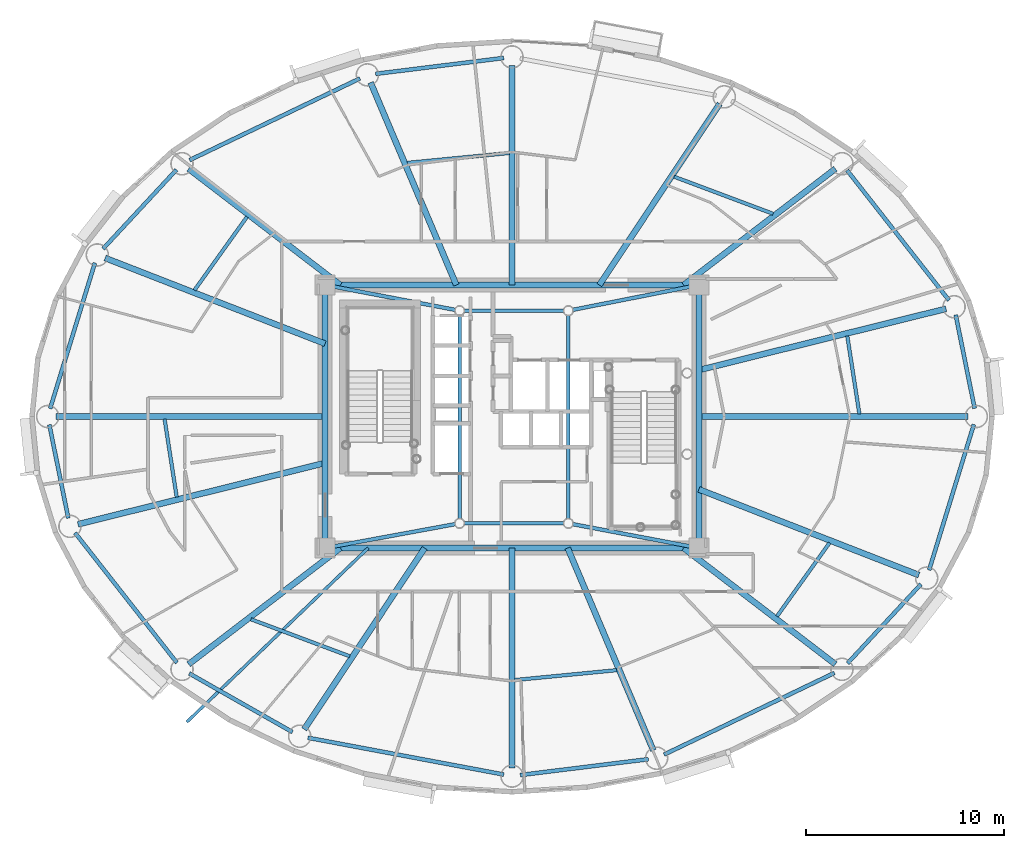
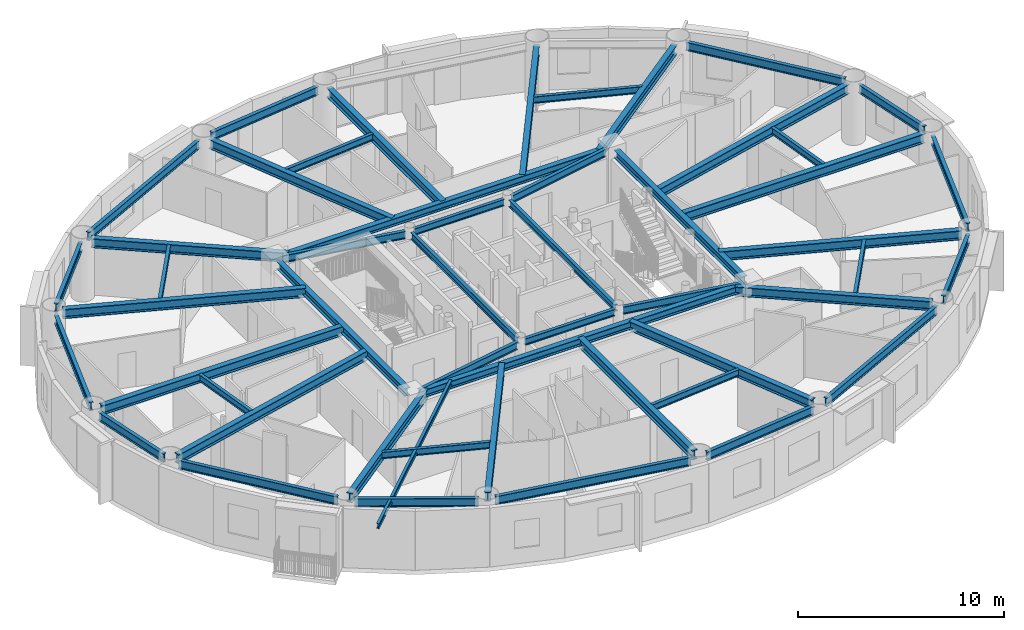
# One storey, part 3 of 18: 51 beams.
"""IFC4 building model written with IfcOpenShell, lengths in metres."""

from ifc_helpers import new_model, si_unit, direction, frame, origin, origin_2d, place, context, subcontext, project, spatial, i_section, extrude, material, material_profile, profile_set, type_object, element, save


model = new_model("IFC4")

# Units and contexts
model_context = context("Model", 3, precision=1e-05, world=origin(), true_north=direction((0.0, 1.0)))
body_context = subcontext(model_context, "Body", "Model", "MODEL_VIEW")
ifc_project = project(units=[si_unit("LENGTHUNIT", "METRE"), si_unit("AREAUNIT", "SQUARE_METRE"), si_unit("VOLUMEUNIT", "CUBIC_METRE"), si_unit("PLANEANGLEUNIT", "RADIAN"), si_unit("MASSUNIT", "GRAM", prefix="KILO")], contexts=[model_context])

# Site, building, storey
site_placement = place(None, origin())
site = spatial("IfcSite", under=ifc_project, at=site_placement, CompositionType="ELEMENT")
building_placement = place(site_placement, origin())
building = spatial("IfcBuilding", under=site, at=building_placement, Name="Linh Dai School and Residence Tower", CompositionType="ELEMENT")
storey_placement = place(building_placement, frame((0.0, 0.0, 240.300048828125)))
storey = spatial("IfcBuildingStorey", under=building, at=storey_placement, Name="L59", CompositionType="ELEMENT", Elevation=240.300048828125)

# Beams
ifc_material = material(Name="Structural Steel S355JR", Category="steel")
ifc_material_profile_1 = material_profile(ifc_material, i_section(OverallWidth=0.14990234375, OverallDepth=0.300048828125, WebThickness=0.007080078125, FlangeThickness=0.0107421875, at=origin_2d()), Name="IPE 300")
ifc_profile_set_1 = profile_set([ifc_material_profile_1], Name="Structural Steel S355JR")
beam_type_1 = type_object("IfcBeamType", Name="BM-BALC-CANT", PredefinedType="BEAM", material=ifc_profile_set_1)
beam_1_placement = place(storey_placement, frame((28.72607421875, 20.35009765625, 3.349853515625), z_axis=(-0.7215581557, -0.692353831464, 0.0), x_axis=(0.692353831464, -0.7215581557, 0.0)))
element("IfcBeam", 1, at=beam_1_placement, inside=storey, type_object=beam_type_1, Name="L60 Balcony Continuous Cantilever Beam 26", PredefinedType="BEAM", context=body_context, shape_type="SweptSolid", body=[
    extrude(i_section(OverallWidth=0.14990234375, OverallDepth=0.300048828125, WebThickness=0.007080078125, FlangeThickness=0.0107421875, at=origin_2d()), origin(), (0.0, 0.0, 1.0), 12.706787109375),
])
ifc_material_profile_2 = material_profile(ifc_material, i_section(OverallWidth=0.199951171875, OverallDepth=0.5, WebThickness=0.01025390625, FlangeThickness=0.01611328125, FilletRadius=0.02099609375, at=origin_2d()), Name="IPE 500")
ifc_profile_set_2 = profile_set([ifc_material_profile_2], Name="Structural Steel S355JR")
beam_type_2 = type_object("IfcBeamType", Name="BM-RB50", PredefinedType="BEAM", material=ifc_profile_set_2)
beam_2_placement = place(storey_placement, frame((59.3916015625, 27.41162109375, 3.25), z_axis=(-0.198423200906, 0.980116438666, 0.0), x_axis=(-0.980116438666, -0.198423200906, 0.0)))
element("IfcBeam", 2, at=beam_2_placement, inside=storey, type_object=beam_type_2, Name="L59 Perimeter Elliptical Ring Beam 01", PredefinedType="BEAM", context=body_context, shape_type="SweptSolid", body=[
    extrude(i_section(OverallWidth=0.199951171875, OverallDepth=0.5, WebThickness=0.01025390625, FlangeThickness=0.01611328125, FilletRadius=0.02099609375, at=origin_2d()), origin(), (0.0, 0.0, 1.0), 4.822021484375),
])
beam_3_placement = place(storey_placement, frame((58.09228515625, 32.8798828125, 3.25), z_axis=(-0.616900268003, 0.787041332674, 0.0), x_axis=(-0.787041332674, -0.616900268003, 0.0)))
element("IfcBeam", 3, at=beam_3_placement, inside=storey, type_object=beam_type_2, Name="L59 Perimeter Elliptical Ring Beam 02", PredefinedType="BEAM", context=body_context, shape_type="SweptSolid", body=[
    extrude(i_section(OverallWidth=0.199951171875, OverallDepth=0.5, WebThickness=0.01025390625, FlangeThickness=0.01611328125, FilletRadius=0.02099609375, at=origin_2d()), origin(), (0.0, 0.0, 1.0), 8.348388671875),
])
beam_4_placement = place(storey_placement, frame((35.583251953125, 45.12841796875, 3.25), z_axis=(-0.992401656104, -0.123040452539, 0.0), x_axis=(0.123040452539, -0.992401656104, 0.0)))
element("IfcBeam", 4, at=beam_4_placement, inside=storey, type_object=beam_type_2, Name="L59 Perimeter Elliptical Ring Beam 05", PredefinedType="BEAM", context=body_context, shape_type="SweptSolid", body=[
    extrude(i_section(OverallWidth=0.199951171875, OverallDepth=0.5, WebThickness=0.01025390625, FlangeThickness=0.01611328125, FilletRadius=0.02099609375, at=origin_2d()), origin(), (0.0, 0.0, 1.0), 6.528076171875),
])
beam_5_placement = place(storey_placement, frame((28.309326171875, 44.092041015625, 3.25), z_axis=(-0.901735920201, -0.432287323686, 0.0), x_axis=(0.432287323686, -0.901735920201, 0.0)))
element("IfcBeam", 5, at=beam_5_placement, inside=storey, type_object=beam_type_2, Name="L59 Perimeter Elliptical Ring Beam 06", PredefinedType="BEAM", context=body_context, shape_type="SweptSolid", body=[
    extrude(i_section(OverallWidth=0.199951171875, OverallDepth=0.5, WebThickness=0.01025390625, FlangeThickness=0.01611328125, FilletRadius=0.02099609375, at=origin_2d()), origin(), (0.0, 0.0, 1.0), 9.552490234375),
])
beam_6_placement = place(storey_placement, frame((19.031005859375, 39.47314453125, 3.25), z_axis=(-0.68040816846, -0.732833353699, 0.0), x_axis=(0.732833353699, -0.68040816846, 0.0)))
element("IfcBeam", 6, at=beam_6_placement, inside=storey, type_object=beam_type_2, Name="L59 Perimeter Elliptical Ring Beam 07", PredefinedType="BEAM", context=body_context, shape_type="SweptSolid", body=[
    extrude(i_section(OverallWidth=0.199951171875, OverallDepth=0.5, WebThickness=0.01025390625, FlangeThickness=0.01611328125, FilletRadius=0.02099609375, at=origin_2d()), origin(), (0.0, 0.0, 1.0), 5.453369140625),
])
beam_7_placement = place(storey_placement, frame((14.911376953125, 34.767578125, 3.25), z_axis=(-0.293660595717, -0.95590975229, 0.0), x_axis=(0.95590975229, -0.293660595717, 0.0)))
element("IfcBeam", 7, at=beam_7_placement, inside=storey, type_object=beam_type_2, Name="L59 Perimeter Elliptical Ring Beam 08", PredefinedType="BEAM", context=body_context, shape_type="SweptSolid", body=[
    extrude(i_section(OverallWidth=0.199951171875, OverallDepth=0.5, WebThickness=0.01025390625, FlangeThickness=0.01611328125, FilletRadius=0.02099609375, at=origin_2d()), origin(), (0.0, 0.0, 1.0), 7.7060546875),
])
beam_8_placement = place(storey_placement, frame((12.6083984375, 26.58837890625, 3.25), z_axis=(0.198423200906, -0.980116438666, 0.0), x_axis=(0.980116438666, 0.198423200906, 0.0)))
element("IfcBeam", 8, at=beam_8_placement, inside=storey, type_object=beam_type_2, Name="L59 Perimeter Elliptical Ring Beam 09", PredefinedType="BEAM", context=body_context, shape_type="SweptSolid", body=[
    extrude(i_section(OverallWidth=0.199951171875, OverallDepth=0.5, WebThickness=0.01025390625, FlangeThickness=0.01611328125, FilletRadius=0.02099609375, at=origin_2d()), origin(), (0.0, 0.0, 1.0), 4.822021484375),
])
beam_9_placement = place(storey_placement, frame((13.90771484375, 21.1201171875, 3.25), z_axis=(0.616900268003, -0.787041332674, 0.0), x_axis=(0.787041332674, 0.616900268003, 0.0)))
element("IfcBeam", 9, at=beam_9_placement, inside=storey, type_object=beam_type_2, Name="L59 Perimeter Elliptical Ring Beam 10", PredefinedType="BEAM", context=body_context, shape_type="SweptSolid", body=[
    extrude(i_section(OverallWidth=0.199951171875, OverallDepth=0.5, WebThickness=0.01025390625, FlangeThickness=0.01611328125, FilletRadius=0.02099609375, at=origin_2d()), origin(), (0.0, 0.0, 1.0), 8.348388671875),
])
beam_10_placement = place(storey_placement, frame((19.681884765625, 14.011474609375, 3.25), z_axis=(0.869297314463, -0.494289570058, 0.0), x_axis=(0.494289570058, 0.869297314463, 0.0)))
element("IfcBeam", 10, at=beam_10_placement, inside=storey, type_object=beam_type_2, Name="L59 Perimeter Elliptical Ring Beam 11", PredefinedType="BEAM", context=body_context, shape_type="SweptSolid", body=[
    extrude(i_section(OverallWidth=0.199951171875, OverallDepth=0.5, WebThickness=0.01025390625, FlangeThickness=0.01611328125, FilletRadius=0.02099609375, at=origin_2d()), origin(), (0.0, 0.0, 1.0), 6.003173828125),
])
beam_11_placement = place(storey_placement, frame((25.67822265625, 10.759033203125, 3.25), z_axis=(0.982806607762, -0.184637947722, 0.0), x_axis=(0.184637947722, 0.982806607762, 0.0)))
element("IfcBeam", 11, at=beam_11_placement, inside=storey, type_object=beam_type_2, Name="L59 Perimeter Elliptical Ring Beam 12", PredefinedType="BEAM", context=body_context, shape_type="SweptSolid", body=[
    extrude(i_section(OverallWidth=0.199951171875, OverallDepth=0.5, WebThickness=0.01025390625, FlangeThickness=0.01611328125, FilletRadius=0.02099609375, at=origin_2d()), origin(), (0.0, 0.0, 1.0), 10.082275390625),
])
beam_12_placement = place(storey_placement, frame((36.416748046875, 8.87158203125, 3.25), z_axis=(0.992401656104, 0.123040452539, 0.0), x_axis=(-0.123040452539, 0.992401656104, 0.0)))
element("IfcBeam", 12, at=beam_12_placement, inside=storey, type_object=beam_type_2, Name="L59 Perimeter Elliptical Ring Beam 13", PredefinedType="BEAM", context=body_context, shape_type="SweptSolid", body=[
    extrude(i_section(OverallWidth=0.199951171875, OverallDepth=0.5, WebThickness=0.01025390625, FlangeThickness=0.01611328125, FilletRadius=0.02099609375, at=origin_2d()), origin(), (0.0, 0.0, 1.0), 6.528076171875),
])
beam_13_placement = place(storey_placement, frame((43.690673828125, 9.907958984375, 3.25), z_axis=(0.901735920201, 0.432287323686, 0.0), x_axis=(-0.432287323686, 0.901735920201, 0.0)))
element("IfcBeam", 13, at=beam_13_placement, inside=storey, type_object=beam_type_2, Name="L59 Perimeter Elliptical Ring Beam 14", PredefinedType="BEAM", context=body_context, shape_type="SweptSolid", body=[
    extrude(i_section(OverallWidth=0.199951171875, OverallDepth=0.5, WebThickness=0.01025390625, FlangeThickness=0.01611328125, FilletRadius=0.02099609375, at=origin_2d()), origin(), (0.0, 0.0, 1.0), 9.552490234375),
])
beam_14_placement = place(storey_placement, frame((52.968994140625, 14.52685546875, 3.25), z_axis=(0.68040816846, 0.732833353699, 0.0), x_axis=(-0.732833353699, 0.68040816846, 0.0)))
element("IfcBeam", 14, at=beam_14_placement, inside=storey, type_object=beam_type_2, Name="L59 Perimeter Elliptical Ring Beam 15", PredefinedType="BEAM", context=body_context, shape_type="SweptSolid", body=[
    extrude(i_section(OverallWidth=0.199951171875, OverallDepth=0.5, WebThickness=0.01025390625, FlangeThickness=0.01611328125, FilletRadius=0.02099609375, at=origin_2d()), origin(), (0.0, 0.0, 1.0), 5.453369140625),
])
beam_15_placement = place(storey_placement, frame((57.088623046875, 19.232421875, 3.25), z_axis=(0.293660595717, 0.95590975229, 0.0), x_axis=(-0.95590975229, 0.293660595717, 0.0)))
element("IfcBeam", 15, at=beam_15_placement, inside=storey, type_object=beam_type_2, Name="L59 Perimeter Elliptical Ring Beam 16", PredefinedType="BEAM", context=body_context, shape_type="SweptSolid", body=[
    extrude(i_section(OverallWidth=0.199951171875, OverallDepth=0.5, WebThickness=0.01025390625, FlangeThickness=0.01611328125, FilletRadius=0.02099609375, at=origin_2d()), origin(), (0.0, 0.0, 1.0), 7.7060546875),
])
ifc_material_profile_3 = material_profile(ifc_material, i_section(OverallWidth=0.300048828125, OverallDepth=0.449951171875, WebThickness=0.013916015625, FlangeThickness=0.02587890625, FilletRadius=0.027099609375, at=origin_2d()), Name="HEB 450")
ifc_profile_set_3 = profile_set([ifc_material_profile_3], Name="Structural Steel S355JR")
beam_type_3 = type_object("IfcBeamType", Name="BM-RG45", PredefinedType="BEAM", material=ifc_profile_set_3)
beam_16_placement = place(storey_placement, frame((26.969970703125, 20.35009765625, 3.27490234375), z_axis=(1.0, 0.0, 0.0), x_axis=(0.0, 1.0, 0.0)))
element("IfcBeam", 16, at=beam_16_placement, inside=storey, type_object=beam_type_3, Name="L59 Core Perimeter Coupling Girder 1", PredefinedType="BEAM", context=body_context, shape_type="SweptSolid", body=[
    extrude(i_section(OverallWidth=0.300048828125, OverallDepth=0.449951171875, WebThickness=0.013916015625, FlangeThickness=0.02587890625, FilletRadius=0.027099609375, at=origin_2d()), origin(), (0.0, 0.0, 1.0), 18.06005859375),
])
beam_17_placement = place(storey_placement, frame((45.449951171875, 20.77001953125, 3.27490234375), z_axis=(0.0, 1.0, 0.0), x_axis=(-1.0, 0.0, 0.0)))
element("IfcBeam", 17, at=beam_17_placement, inside=storey, type_object=beam_type_3, Name="L59 Core Perimeter Coupling Girder 2", PredefinedType="BEAM", context=body_context, shape_type="SweptSolid", body=[
    extrude(i_section(OverallWidth=0.300048828125, OverallDepth=0.449951171875, WebThickness=0.013916015625, FlangeThickness=0.02587890625, FilletRadius=0.027099609375, at=origin_2d()), origin(), (0.0, 0.0, 1.0), 12.4599609375),
])
beam_18_placement = place(storey_placement, frame((45.030029296875, 33.64990234375, 3.27490234375), z_axis=(-1.0, 0.0, 0.0), x_axis=(0.0, -1.0, 0.0)))
element("IfcBeam", 18, at=beam_18_placement, inside=storey, type_object=beam_type_3, Name="L59 Core Perimeter Coupling Girder 3", PredefinedType="BEAM", context=body_context, shape_type="SweptSolid", body=[
    extrude(i_section(OverallWidth=0.300048828125, OverallDepth=0.449951171875, WebThickness=0.013916015625, FlangeThickness=0.02587890625, FilletRadius=0.027099609375, at=origin_2d()), origin(), (0.0, 0.0, 1.0), 18.06005859375),
])
beam_19_placement = place(storey_placement, frame((26.550048828125, 33.22998046875, 3.27490234375), z_axis=(0.0, -1.0, 0.0), x_axis=(1.0, 0.0, 0.0)))
element("IfcBeam", 19, at=beam_19_placement, inside=storey, type_object=beam_type_3, Name="L59 Core Perimeter Coupling Girder 4", PredefinedType="BEAM", context=body_context, shape_type="SweptSolid", body=[
    extrude(i_section(OverallWidth=0.300048828125, OverallDepth=0.449951171875, WebThickness=0.013916015625, FlangeThickness=0.02587890625, FilletRadius=0.027099609375, at=origin_2d()), origin(), (0.0, 0.0, 1.0), 12.4599609375),
])
ifc_material_profile_4 = material_profile(ifc_material, i_section(OverallWidth=0.300048828125, OverallDepth=0.550048828125, WebThickness=0.014892578125, FlangeThickness=0.029052734375, FilletRadius=0.027099609375, at=origin_2d()), Name="HEB 550")
ifc_profile_set_4 = profile_set([ifc_material_profile_4], Name="Structural Steel S355JR")
beam_type_4 = type_object("IfcBeamType", Name="BM-RG55", PredefinedType="BEAM", material=ifc_profile_set_4)
beam_20_placement = place(storey_placement, frame((45.449951171875, 27.0, 3.224853515625), z_axis=(1.0, 0.0, 0.0), x_axis=(0.0, 1.0, 0.0)))
element("IfcBeam", 20, at=beam_20_placement, inside=storey, type_object=beam_type_4, Name="L59 Primary Radial Floor Girder 01", PredefinedType="BEAM", context=body_context, shape_type="SweptSolid", body=[
    extrude(i_section(OverallWidth=0.300048828125, OverallDepth=0.550048828125, WebThickness=0.014892578125, FlangeThickness=0.029052734375, FilletRadius=0.027099609375, at=origin_2d()), origin(), (0.0, 0.0, 1.0), 13.60498046875),
])
beam_21_placement = place(storey_placement, frame((45.449951171875, 29.34619140625, 3.224853515625), z_axis=(0.970537241974, 0.240951160904, 0.0), x_axis=(-0.240951160904, 0.970537241974, 0.0)))
element("IfcBeam", 21, at=beam_21_placement, inside=storey, type_object=beam_type_4, Name="L59 Primary Radial Floor Girder 02", PredefinedType="BEAM", context=body_context, shape_type="SweptSolid", body=[
    extrude(i_section(OverallWidth=0.300048828125, OverallDepth=0.550048828125, WebThickness=0.014892578125, FlangeThickness=0.029052734375, FilletRadius=0.027099609375, at=origin_2d()), origin(), (0.0, 0.0, 1.0), 12.873291015625),
])
beam_22_placement = place(storey_placement, frame((44.680419921875, 33.64990234375, 3.224853515625), z_axis=(0.793814553483, 0.608159892363, 0.0), x_axis=(-0.608159892363, 0.793814553483, 0.0)))
element("IfcBeam", 22, at=beam_22_placement, inside=storey, type_object=beam_type_4, Name="L59 Primary Radial Floor Girder 03", PredefinedType="BEAM", context=body_context, shape_type="SweptSolid", body=[
    extrude(i_section(OverallWidth=0.300048828125, OverallDepth=0.550048828125, WebThickness=0.014892578125, FlangeThickness=0.029052734375, FilletRadius=0.027099609375, at=origin_2d()), origin(), (0.0, 0.0, 1.0), 9.661376953125),
])
beam_23_placement = place(storey_placement, frame((40.41650390625, 33.64990234375, 3.224853515625), z_axis=(0.553219177991, 0.833035738191, 0.0), x_axis=(-0.833035738191, 0.553219177991, 0.0)))
element("IfcBeam", 23, at=beam_23_placement, inside=storey, type_object=beam_type_4, Name="L59 Primary Radial Floor Girder 04", PredefinedType="BEAM", context=body_context, shape_type="SweptSolid", body=[
    extrude(i_section(OverallWidth=0.300048828125, OverallDepth=0.550048828125, WebThickness=0.014892578125, FlangeThickness=0.029052734375, FilletRadius=0.027099609375, at=origin_2d()), origin(), (0.0, 0.0, 1.0), 11.00048828125),
])
beam_24_placement = place(storey_placement, frame((36.0, 33.64990234375, 3.224853515625), z_axis=(0.0, 1.0, 0.0), x_axis=(-1.0, 0.0, 0.0)))
element("IfcBeam", 24, at=beam_24_placement, inside=storey, type_object=beam_type_4, Name="L59 Primary Radial Floor Girder 05", PredefinedType="BEAM", context=body_context, shape_type="SweptSolid", body=[
    extrude(i_section(OverallWidth=0.300048828125, OverallDepth=0.550048828125, WebThickness=0.014892578125, FlangeThickness=0.029052734375, FilletRadius=0.027099609375, at=origin_2d()), origin(), (0.0, 0.0, 1.0), 11.110107421875),
])
beam_25_placement = place(storey_placement, frame((33.18505859375, 33.64990234375, 3.224853515625), z_axis=(-0.389814803082, 0.920893272479, 0.0), x_axis=(-0.920893272479, -0.389814803082, 0.0)))
element("IfcBeam", 25, at=beam_25_placement, inside=storey, type_object=beam_type_4, Name="L59 Primary Radial Floor Girder 06", PredefinedType="BEAM", context=body_context, shape_type="SweptSolid", body=[
    extrude(i_section(OverallWidth=0.300048828125, OverallDepth=0.550048828125, WebThickness=0.014892578125, FlangeThickness=0.029052734375, FilletRadius=0.027099609375, at=origin_2d()), origin(), (0.0, 0.0, 1.0), 11.1162109375),
])
beam_26_placement = place(storey_placement, frame((27.319580078125, 33.64990234375, 3.224853515625), z_axis=(-0.793814553483, 0.608159892363, 0.0), x_axis=(-0.608159892363, -0.793814553483, 0.0)))
element("IfcBeam", 26, at=beam_26_placement, inside=storey, type_object=beam_type_4, Name="L59 Primary Radial Floor Girder 07", PredefinedType="BEAM", context=body_context, shape_type="SweptSolid", body=[
    extrude(i_section(OverallWidth=0.300048828125, OverallDepth=0.550048828125, WebThickness=0.014892578125, FlangeThickness=0.029052734375, FilletRadius=0.027099609375, at=origin_2d()), origin(), (0.0, 0.0, 1.0), 9.661376953125),
])
beam_27_placement = place(storey_placement, frame((26.550048828125, 30.68212890625, 3.224853515625), z_axis=(-0.931764994123, 0.363061972295, 0.0), x_axis=(-0.363061972295, -0.931764994123, 0.0)))
element("IfcBeam", 27, at=beam_27_placement, inside=storey, type_object=beam_type_4, Name="L59 Primary Radial Floor Girder 08", PredefinedType="BEAM", context=body_context, shape_type="SweptSolid", body=[
    extrude(i_section(OverallWidth=0.300048828125, OverallDepth=0.550048828125, WebThickness=0.014892578125, FlangeThickness=0.029052734375, FilletRadius=0.027099609375, at=origin_2d()), origin(), (0.0, 0.0, 1.0), 11.938720703125),
])
beam_28_placement = place(storey_placement, frame((26.550048828125, 27.0, 3.224853515625), z_axis=(-1.0, 0.0, 0.0), x_axis=(0.0, -1.0, 0.0)))
element("IfcBeam", 28, at=beam_28_placement, inside=storey, type_object=beam_type_4, Name="L59 Primary Radial Floor Girder 09", PredefinedType="BEAM", context=body_context, shape_type="SweptSolid", body=[
    extrude(i_section(OverallWidth=0.300048828125, OverallDepth=0.550048828125, WebThickness=0.014892578125, FlangeThickness=0.029052734375, FilletRadius=0.027099609375, at=origin_2d()), origin(), (0.0, 0.0, 1.0), 13.60498046875),
])
beam_29_placement = place(storey_placement, frame((26.550048828125, 24.65380859375, 3.224853515625), z_axis=(-0.970537241974, -0.240951160904, 0.0), x_axis=(0.240951160904, -0.970537241974, 0.0)))
element("IfcBeam", 29, at=beam_29_placement, inside=storey, type_object=beam_type_4, Name="L59 Primary Radial Floor Girder 10", PredefinedType="BEAM", context=body_context, shape_type="SweptSolid", body=[
    extrude(i_section(OverallWidth=0.300048828125, OverallDepth=0.550048828125, WebThickness=0.014892578125, FlangeThickness=0.029052734375, FilletRadius=0.027099609375, at=origin_2d()), origin(), (0.0, 0.0, 1.0), 12.873291015625),
])
beam_30_placement = place(storey_placement, frame((27.319580078125, 20.35009765625, 3.224853515625), z_axis=(-0.793814553483, -0.608159892363, 0.0), x_axis=(0.608159892363, -0.793814553483, 0.0)))
element("IfcBeam", 30, at=beam_30_placement, inside=storey, type_object=beam_type_4, Name="L59 Primary Radial Floor Girder 11", PredefinedType="BEAM", context=body_context, shape_type="SweptSolid", body=[
    extrude(i_section(OverallWidth=0.300048828125, OverallDepth=0.550048828125, WebThickness=0.014892578125, FlangeThickness=0.029052734375, FilletRadius=0.027099609375, at=origin_2d()), origin(), (0.0, 0.0, 1.0), 9.661376953125),
])
beam_31_placement = place(storey_placement, frame((31.58349609375, 20.35009765625, 3.224853515625), z_axis=(-0.553219177991, -0.833035738191, 0.0), x_axis=(0.833035738191, -0.553219177991, 0.0)))
element("IfcBeam", 31, at=beam_31_placement, inside=storey, type_object=beam_type_4, Name="L59 Primary Radial Floor Girder 12", PredefinedType="BEAM", context=body_context, shape_type="SweptSolid", body=[
    extrude(i_section(OverallWidth=0.300048828125, OverallDepth=0.550048828125, WebThickness=0.014892578125, FlangeThickness=0.029052734375, FilletRadius=0.027099609375, at=origin_2d()), origin(), (0.0, 0.0, 1.0), 11.00048828125),
])
beam_32_placement = place(storey_placement, frame((36.0, 20.35009765625, 3.224853515625), z_axis=(0.0, -1.0, 0.0), x_axis=(1.0, 0.0, 0.0)))
element("IfcBeam", 32, at=beam_32_placement, inside=storey, type_object=beam_type_4, Name="L59 Primary Radial Floor Girder 13", PredefinedType="BEAM", context=body_context, shape_type="SweptSolid", body=[
    extrude(i_section(OverallWidth=0.300048828125, OverallDepth=0.550048828125, WebThickness=0.014892578125, FlangeThickness=0.029052734375, FilletRadius=0.027099609375, at=origin_2d()), origin(), (0.0, 0.0, 1.0), 11.110107421875),
])
beam_33_placement = place(storey_placement, frame((38.81494140625, 20.35009765625, 3.224853515625), z_axis=(0.389814803082, -0.920893272479, 0.0), x_axis=(0.920893272479, 0.389814803082, 0.0)))
element("IfcBeam", 33, at=beam_33_placement, inside=storey, type_object=beam_type_4, Name="L59 Primary Radial Floor Girder 14", PredefinedType="BEAM", context=body_context, shape_type="SweptSolid", body=[
    extrude(i_section(OverallWidth=0.300048828125, OverallDepth=0.550048828125, WebThickness=0.014892578125, FlangeThickness=0.029052734375, FilletRadius=0.027099609375, at=origin_2d()), origin(), (0.0, 0.0, 1.0), 11.1162109375),
])
beam_34_placement = place(storey_placement, frame((44.680419921875, 20.35009765625, 3.224853515625), z_axis=(0.793814553483, -0.608159892363, 0.0), x_axis=(0.608159892363, 0.793814553483, 0.0)))
element("IfcBeam", 34, at=beam_34_placement, inside=storey, type_object=beam_type_4, Name="L59 Primary Radial Floor Girder 15", PredefinedType="BEAM", context=body_context, shape_type="SweptSolid", body=[
    extrude(i_section(OverallWidth=0.300048828125, OverallDepth=0.550048828125, WebThickness=0.014892578125, FlangeThickness=0.029052734375, FilletRadius=0.027099609375, at=origin_2d()), origin(), (0.0, 0.0, 1.0), 9.661376953125),
])
beam_35_placement = place(storey_placement, frame((45.449951171875, 23.31787109375, 3.224853515625), z_axis=(0.931764994123, -0.363061972295, 0.0), x_axis=(0.363061972295, 0.931764994123, 0.0)))
element("IfcBeam", 35, at=beam_35_placement, inside=storey, type_object=beam_type_4, Name="L59 Primary Radial Floor Girder 16", PredefinedType="BEAM", context=body_context, shape_type="SweptSolid", body=[
    extrude(i_section(OverallWidth=0.300048828125, OverallDepth=0.550048828125, WebThickness=0.014892578125, FlangeThickness=0.029052734375, FilletRadius=0.027099609375, at=origin_2d()), origin(), (0.0, 0.0, 1.0), 11.938720703125),
])
ifc_material_profile_5 = material_profile(ifc_material, i_section(OverallWidth=0.179931640625, OverallDepth=0.39990234375, WebThickness=0.008544921875, FlangeThickness=0.013427734375, FilletRadius=0.02099609375, at=origin_2d()), Name="IPE 400")
ifc_profile_set_5 = profile_set([ifc_material_profile_5], Name="Structural Steel S355JR")
beam_type_5 = type_object("IfcBeamType", Name="BM-SB40", PredefinedType="BEAM", material=ifc_profile_set_5)
beam_36_placement = place(storey_placement, frame((33.573974609375, 21.60009765625, 3.300048828125), z_axis=(1.0, 0.0, 0.0), x_axis=(0.0, 1.0, 0.0)))
element("IfcBeam", 36, at=beam_36_placement, inside=storey, type_object=beam_type_5, Name="L59 Core Mast Pier Tie Beam 1", PredefinedType="BEAM", context=body_context, shape_type="SweptSolid", body=[
    extrude(i_section(OverallWidth=0.179931640625, OverallDepth=0.39990234375, WebThickness=0.008544921875, FlangeThickness=0.013427734375, FilletRadius=0.02099609375, at=origin_2d()), origin(), (0.0, 0.0, 1.0), 5.052001953125),
])
beam_37_placement = place(storey_placement, frame((38.85009765625, 21.823974609375, 3.300048828125), z_axis=(0.0, 1.0, 0.0), x_axis=(-1.0, 0.0, 0.0)))
element("IfcBeam", 37, at=beam_37_placement, inside=storey, type_object=beam_type_5, Name="L59 Core Mast Pier Tie Beam 2", PredefinedType="BEAM", context=body_context, shape_type="SweptSolid", body=[
    extrude(i_section(OverallWidth=0.179931640625, OverallDepth=0.39990234375, WebThickness=0.008544921875, FlangeThickness=0.013427734375, FilletRadius=0.02099609375, at=origin_2d()), origin(), (0.0, 0.0, 1.0), 10.302001953125),
])
beam_38_placement = place(storey_placement, frame((38.6259765625, 32.35009765625, 3.300048828125), z_axis=(-1.0, 0.0, 0.0), x_axis=(0.0, -1.0, 0.0)))
element("IfcBeam", 38, at=beam_38_placement, inside=storey, type_object=beam_type_5, Name="L59 Core Mast Pier Tie Beam 3", PredefinedType="BEAM", context=body_context, shape_type="SweptSolid", body=[
    extrude(i_section(OverallWidth=0.179931640625, OverallDepth=0.39990234375, WebThickness=0.008544921875, FlangeThickness=0.013427734375, FilletRadius=0.02099609375, at=origin_2d()), origin(), (0.0, 0.0, 1.0), 5.052001953125),
])
beam_39_placement = place(storey_placement, frame((33.35009765625, 32.1259765625, 3.300048828125), z_axis=(0.0, -1.0, 0.0), x_axis=(1.0, 0.0, 0.0)))
element("IfcBeam", 39, at=beam_39_placement, inside=storey, type_object=beam_type_5, Name="L59 Core Mast Pier Tie Beam 4", PredefinedType="BEAM", context=body_context, shape_type="SweptSolid", body=[
    extrude(i_section(OverallWidth=0.179931640625, OverallDepth=0.39990234375, WebThickness=0.008544921875, FlangeThickness=0.013427734375, FilletRadius=0.02099609375, at=origin_2d()), origin(), (0.0, 0.0, 1.0), 10.302001953125),
])
beam_40_placement = place(storey_placement, frame((53.564697265625, 27.12841796875, 3.300048828125), z_axis=(-0.153237508203, 0.988189387759, 0.0), x_axis=(-0.988189387759, -0.153237508203, 0.0)))
element("IfcBeam", 40, at=beam_40_placement, inside=storey, type_object=beam_type_5, Name="L59 Secondary Circumferential Floor Beam 01", PredefinedType="BEAM", context=body_context, shape_type="SweptSolid", body=[
    extrude(i_section(OverallWidth=0.179931640625, OverallDepth=0.39990234375, WebThickness=0.008544921875, FlangeThickness=0.013427734375, FilletRadius=0.02099609375, at=origin_2d()), origin(), (0.0, 0.0, 1.0), 3.994140625),
])
beam_41_placement = place(storey_placement, frame((49.2001953125, 37.25146484375, 3.300048828125), z_axis=(-0.936528326754, 0.350591918315, 0.0), x_axis=(-0.350591918315, -0.936528326754, 0.0)))
element("IfcBeam", 41, at=beam_41_placement, inside=storey, type_object=beam_type_5, Name="L59 Secondary Circumferential Floor Beam 02", PredefinedType="BEAM", context=body_context, shape_type="SweptSolid", body=[
    extrude(i_section(OverallWidth=0.179931640625, OverallDepth=0.39990234375, WebThickness=0.008544921875, FlangeThickness=0.013427734375, FilletRadius=0.02099609375, at=origin_2d()), origin(), (0.0, 0.0, 1.0), 5.336181640625),
])
beam_42_placement = place(storey_placement, frame((35.87060546875, 40.324951171875, 3.300048828125), z_axis=(-0.995332680487, -0.096503135467, 0.0), x_axis=(0.096503135467, -0.995332680487, 0.0)))
element("IfcBeam", 42, at=beam_42_placement, inside=storey, type_object=beam_type_5, Name="L59 Secondary Circumferential Floor Beam 03", PredefinedType="BEAM", context=body_context, shape_type="SweptSolid", body=[
    extrude(i_section(OverallWidth=0.179931640625, OverallDepth=0.39990234375, WebThickness=0.008544921875, FlangeThickness=0.013427734375, FilletRadius=0.02099609375, at=origin_2d()), origin(), (0.0, 0.0, 1.0), 5.188720703125),
])
beam_43_placement = place(storey_placement, frame((22.602294921875, 37.100341796875, 3.300048828125), z_axis=(-0.582017423054, -0.813176314991, 0.0), x_axis=(0.813176314991, -0.582017423054, 0.0)))
element("IfcBeam", 43, at=beam_43_placement, inside=storey, type_object=beam_type_5, Name="L59 Secondary Circumferential Floor Beam 04", PredefinedType="BEAM", context=body_context, shape_type="SweptSolid", body=[
    extrude(i_section(OverallWidth=0.179931640625, OverallDepth=0.39990234375, WebThickness=0.008544921875, FlangeThickness=0.013427734375, FilletRadius=0.02099609375, at=origin_2d()), origin(), (0.0, 0.0, 1.0), 4.5625),
])
beam_44_placement = place(storey_placement, frame((18.435302734375, 26.87158203125, 3.300048828125), z_axis=(0.153237508203, -0.988189387759, 0.0), x_axis=(0.988189387759, 0.153237508203, 0.0)))
element("IfcBeam", 44, at=beam_44_placement, inside=storey, type_object=beam_type_5, Name="L59 Secondary Circumferential Floor Beam 05", PredefinedType="BEAM", context=body_context, shape_type="SweptSolid", body=[
    extrude(i_section(OverallWidth=0.179931640625, OverallDepth=0.39990234375, WebThickness=0.008544921875, FlangeThickness=0.013427734375, FilletRadius=0.02099609375, at=origin_2d()), origin(), (0.0, 0.0, 1.0), 3.994140625),
])
beam_45_placement = place(storey_placement, frame((22.7998046875, 16.74853515625, 3.300048828125), z_axis=(0.936528326754, -0.350591918315, 0.0), x_axis=(0.350591918315, 0.936528326754, 0.0)))
element("IfcBeam", 45, at=beam_45_placement, inside=storey, type_object=beam_type_5, Name="L59 Secondary Circumferential Floor Beam 06", PredefinedType="BEAM", context=body_context, shape_type="SweptSolid", body=[
    extrude(i_section(OverallWidth=0.179931640625, OverallDepth=0.39990234375, WebThickness=0.008544921875, FlangeThickness=0.013427734375, FilletRadius=0.02099609375, at=origin_2d()), origin(), (0.0, 0.0, 1.0), 5.336181640625),
])
beam_46_placement = place(storey_placement, frame((36.12939453125, 13.675048828125, 3.300048828125), z_axis=(0.995332680487, 0.096503135467, 0.0), x_axis=(-0.096503135467, 0.995332680487, 0.0)))
element("IfcBeam", 46, at=beam_46_placement, inside=storey, type_object=beam_type_5, Name="L59 Secondary Circumferential Floor Beam 07", PredefinedType="BEAM", context=body_context, shape_type="SweptSolid", body=[
    extrude(i_section(OverallWidth=0.179931640625, OverallDepth=0.39990234375, WebThickness=0.008544921875, FlangeThickness=0.013427734375, FilletRadius=0.02099609375, at=origin_2d()), origin(), (0.0, 0.0, 1.0), 5.188720703125),
])
beam_47_placement = place(storey_placement, frame((49.397705078125, 16.899658203125, 3.300048828125), z_axis=(0.582017423054, 0.813176314991, 0.0), x_axis=(-0.813176314991, 0.582017423054, 0.0)))
element("IfcBeam", 47, at=beam_47_placement, inside=storey, type_object=beam_type_5, Name="L59 Secondary Circumferential Floor Beam 08", PredefinedType="BEAM", context=body_context, shape_type="SweptSolid", body=[
    extrude(i_section(OverallWidth=0.179931640625, OverallDepth=0.39990234375, WebThickness=0.008544921875, FlangeThickness=0.013427734375, FilletRadius=0.02099609375, at=origin_2d()), origin(), (0.0, 0.0, 1.0), 4.5625),
])
ifc_material_profile_6 = material_profile(ifc_material, i_section(OverallWidth=0.18994140625, OverallDepth=0.449951171875, WebThickness=0.009521484375, FlangeThickness=0.0146484375, FilletRadius=0.02099609375, at=origin_2d()), Name="IPE 450")
ifc_profile_set_6 = profile_set([ifc_material_profile_6], Name="Structural Steel S355JR")
beam_type_6 = type_object("IfcBeamType", Name="BM-SB45", PredefinedType="BEAM", material=ifc_profile_set_6)
beam_48_placement = place(storey_placement, frame((26.963134765625, 20.426025390625, 3.27490234375), z_axis=(0.983521034508, 0.180793735182, 0.0), x_axis=(-0.180793735182, 0.983521034508, 0.0)))
element("IfcBeam", 48, at=beam_48_placement, inside=storey, type_object=beam_type_6, Name="L59 Core Corner-to-Mast Pier Beam 1", PredefinedType="BEAM", context=body_context, shape_type="SweptSolid", body=[
    extrude(i_section(OverallWidth=0.18994140625, OverallDepth=0.449951171875, WebThickness=0.009521484375, FlangeThickness=0.0146484375, FilletRadius=0.02099609375, at=origin_2d()), origin(), (0.0, 0.0, 1.0), 6.269775390625),
])
beam_49_placement = place(storey_placement, frame((45.037353515625, 20.42822265625, 3.27490234375), z_axis=(-0.982534706692, 0.186079418921, 0.0), x_axis=(-0.186079418921, -0.982534706692, 0.0)))
element("IfcBeam", 49, at=beam_49_placement, inside=storey, type_object=beam_type_6, Name="L59 Core Corner-to-Mast Pier Beam 2", PredefinedType="BEAM", context=body_context, shape_type="SweptSolid", body=[
    extrude(i_section(OverallWidth=0.18994140625, OverallDepth=0.449951171875, WebThickness=0.009521484375, FlangeThickness=0.0146484375, FilletRadius=0.02099609375, at=origin_2d()), origin(), (0.0, 0.0, 1.0), 6.0732421875),
])
beam_50_placement = place(storey_placement, frame((45.037841796875, 33.56884765625, 3.27490234375), z_axis=(-0.981147696489, -0.193259405138, 0.0), x_axis=(0.193259405138, -0.981147696489, 0.0)))
element("IfcBeam", 50, at=beam_50_placement, inside=storey, type_object=beam_type_6, Name="L59 Core Corner-to-Mast Pier Beam 3", PredefinedType="BEAM", context=body_context, shape_type="SweptSolid", body=[
    extrude(i_section(OverallWidth=0.18994140625, OverallDepth=0.449951171875, WebThickness=0.009521484375, FlangeThickness=0.0146484375, FilletRadius=0.02099609375, at=origin_2d()), origin(), (0.0, 0.0, 1.0), 6.082763671875),
])
beam_51_placement = place(storey_placement, frame((26.962646484375, 33.571044921875, 3.27490234375), z_axis=(0.982214129725, -0.187764222812, 0.0), x_axis=(0.187764222812, 0.982214129725, 0.0)))
element("IfcBeam", 51, at=beam_51_placement, inside=storey, type_object=beam_type_6, Name="L59 Core Corner-to-Mast Pier Beam 4", PredefinedType="BEAM", context=body_context, shape_type="SweptSolid", body=[
    extrude(i_section(OverallWidth=0.18994140625, OverallDepth=0.449951171875, WebThickness=0.009521484375, FlangeThickness=0.0146484375, FilletRadius=0.02099609375, at=origin_2d()), origin(), (0.0, 0.0, 1.0), 6.27880859375),
])

save(model, "model.ifc")
